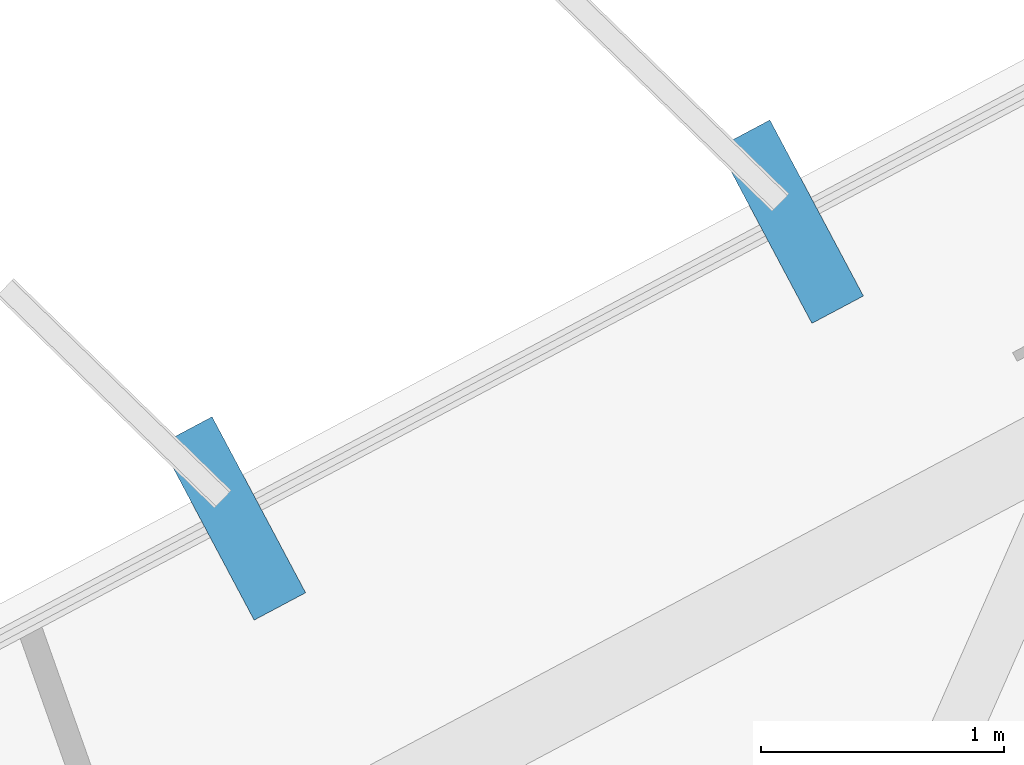
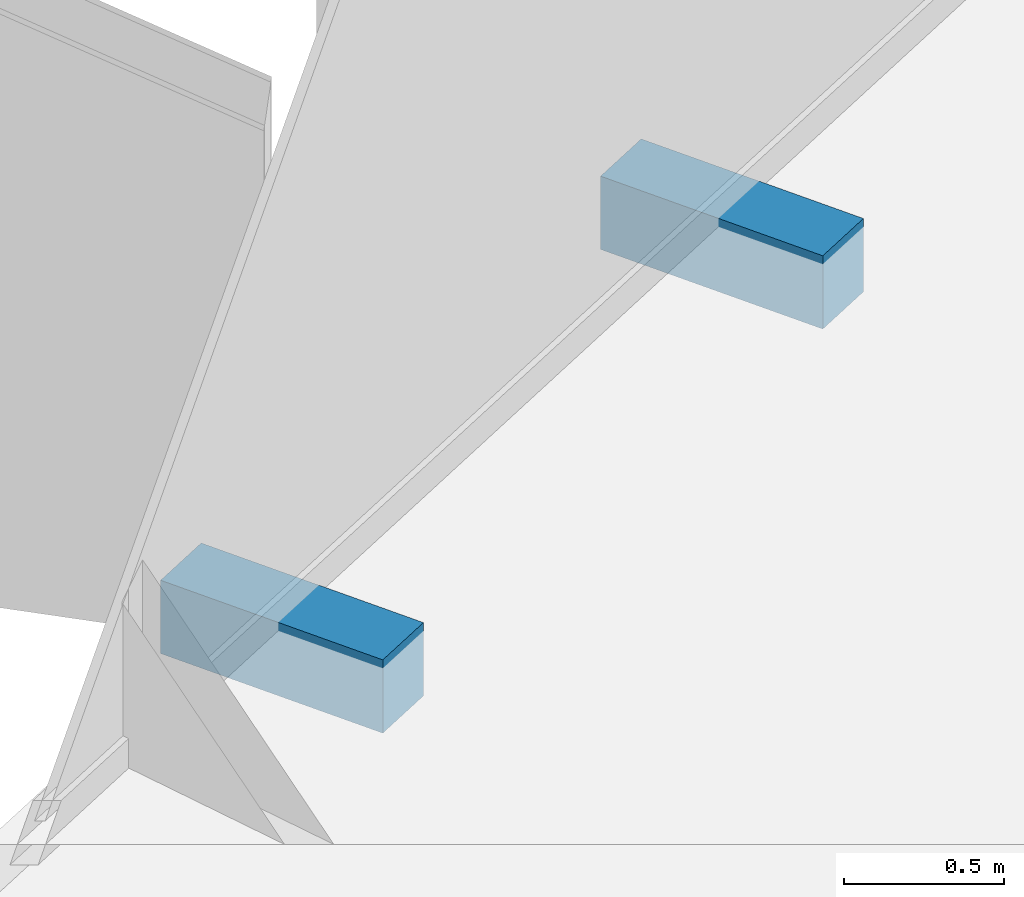
# One storey, part 9 of 12: 2 discrete accessories.
"""IFC4 building model written with IfcOpenShell, lengths in metres."""

from ifc_helpers import new_model, si_unit, direction, frame, origin, origin_2d, place, context, subcontext, project, spatial, rectangle, extrude, material, type_object, element, save


model = new_model("IFC4")

# Units and contexts
model_context = context("Model", 3, precision=1e-05, world=origin(), true_north=direction((0.0, 1.0)))
body_context = subcontext(model_context, "Body", "Model", "MODEL_VIEW")
ifc_project = project(units=[si_unit("LENGTHUNIT", "METRE"), si_unit("AREAUNIT", "SQUARE_METRE"), si_unit("VOLUMEUNIT", "CUBIC_METRE"), si_unit("PLANEANGLEUNIT", "RADIAN"), si_unit("MASSUNIT", "GRAM", prefix="KILO")], contexts=[model_context])

# Site, building, storey
site_placement = place(None, origin())
site = spatial("IfcSite", under=ifc_project, at=site_placement, CompositionType="ELEMENT")
building_placement = place(site_placement, origin())
building = spatial("IfcBuilding", under=site, at=building_placement, Name="Kranzbogen Civic Tower", CompositionType="ELEMENT")
storey_placement = place(building_placement, frame((0.0, 0.0, 134.39990234375)))
storey = spatial("IfcBuildingStorey", under=building, at=storey_placement, Name="L32", CompositionType="ELEMENT", Elevation=134.39990234375)

# Discrete accessories
ifc_material = material(Name="Steel S355", Category="steel")
discrete_accessory_type = type_object("IfcDiscreteAccessoryType", Name="Structural Curtain-Wall Fin Support Bracket", PredefinedType="BRACKET", material=ifc_material)
for number, where, z_axis, x_axis, name in (
    (1, (21.4619140625, 45.4990234375, -0.25), (0.0, 0.0, 1.0), (-0.469471562786, 0.882947592859, 0.0), "L32 facade fin support bracket F2-1"),
    (2, (19.1669921875, 44.278076171875, -0.25), (0.0, 0.0, 1.0), (-0.469471562786, 0.882947592859, 0.0), "L32 facade fin support bracket F2-2"),
):
    element("IfcDiscreteAccessory", number, at=place(storey_placement, frame(where, z_axis=z_axis, x_axis=x_axis)), inside=storey, type_object=discrete_accessory_type, Name=name, PredefinedType="BRACKET", context=body_context, shape_type="SweptSolid", body=[
        extrude(rectangle(XDim=0.820068359375, YDim=0.239990234375, at=origin_2d()), origin(), (0.0, 0.0, 1.0), 0.280029296875),
    ])

save(model, "model.ifc")
